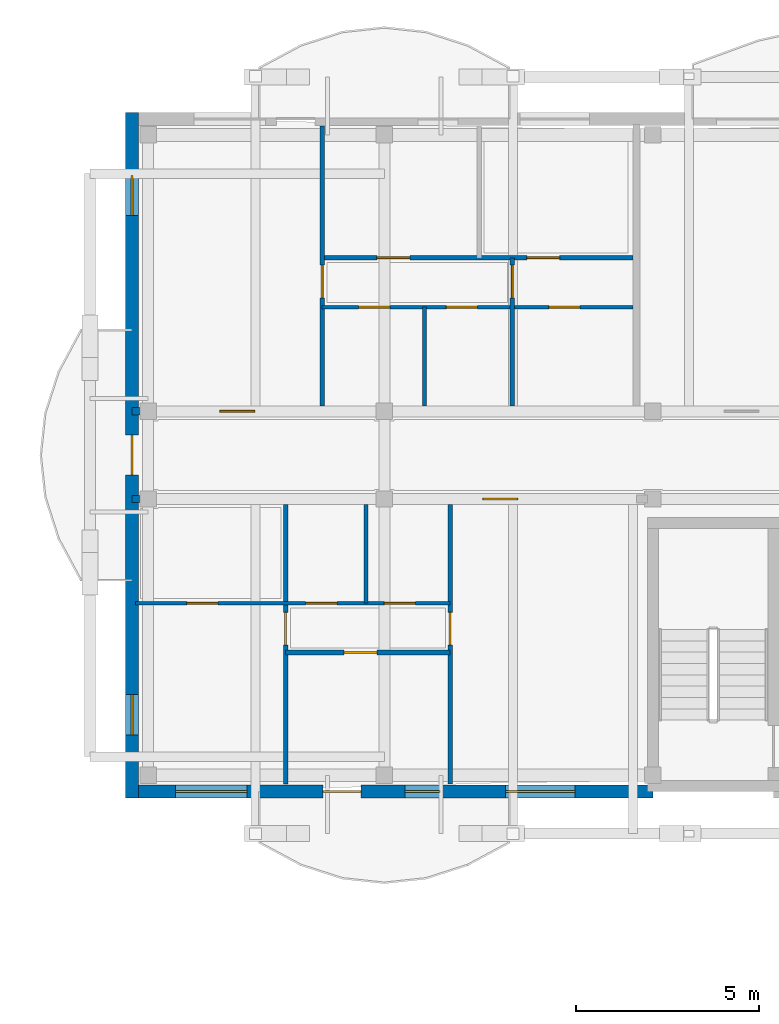
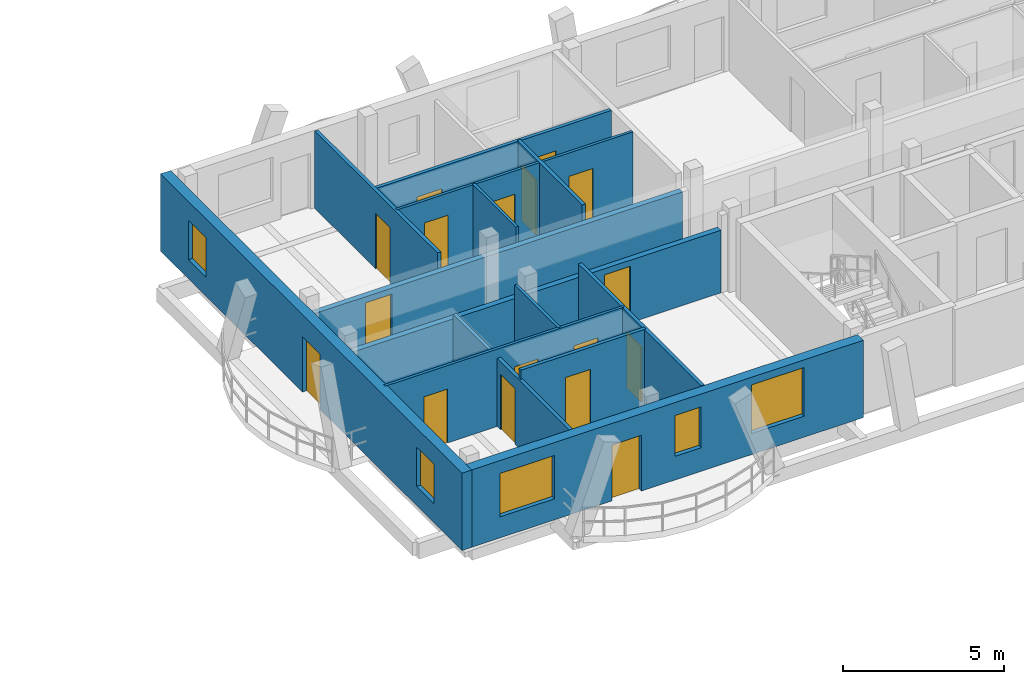
# One storey, part 29 of 52: 17 doors, 14 walls, 5 windows, 22 openings.
"""IFC4 building model written with IfcOpenShell, lengths in metres."""

from ifc_helpers import new_model, si_unit, direction, frame, frame_2d, origin, origin_with_axes, place, context, subcontext, project, spatial, rectangle, extrude, material, layer, layer_set, type_object, element, fill, save


model = new_model("IFC4")

# Units and contexts
model_context = context("Model", 3, precision=1e-05, world=origin(), true_north=direction((0.0, 1.0)))
body_context = subcontext(model_context, "Body", "Model", "MODEL_VIEW")
ifc_project = project(units=[si_unit("LENGTHUNIT", "METRE"), si_unit("AREAUNIT", "SQUARE_METRE"), si_unit("VOLUMEUNIT", "CUBIC_METRE"), si_unit("PLANEANGLEUNIT", "RADIAN"), si_unit("MASSUNIT", "GRAM", prefix="KILO")], contexts=[model_context])

# Site, building, storey
site_placement = place(None, origin())
site = spatial("IfcSite", under=ifc_project, at=site_placement, CompositionType="ELEMENT")
building_placement = place(site_placement, origin())
building = spatial("IfcBuilding", under=site, at=building_placement, Name="Zavelmont Quarter", CompositionType="ELEMENT")
storey_placement = place(building_placement, frame((0.0, 0.0, 14.39990234375)))
storey = spatial("IfcBuildingStorey", under=building, at=storey_placement, Name="L04", CompositionType="ELEMENT", Elevation=14.39990234375)

# Wall, openings, door, windows
ifc_material_1 = material(Name="Natural Belgian limestone", Category="masonry")
ifc_layer_1 = layer(ifc_material_1, 0.360107421875)
ifc_layer_set_1 = layer_set([ifc_layer_1], Name="Natural Belgian limestone")
wall_type_1 = type_object("IfcWallType", Name="EW02", PredefinedType="STANDARD", material=ifc_layer_set_1)
wall_1_placement = place(storey_placement, frame((112.969970703125, 97.60009765625, 0.0), z_axis=(0.0, 0.0, 1.0), x_axis=(1.0, 0.0, 0.0)))
wall_1 = element("IfcWall", 1, at=wall_1_placement, inside=storey, type_object=wall_type_1, Name="L04 exterior limestone wall EW02", PredefinedType="STANDARD", context=body_context, shape_type="SweptSolid", body=[
    extrude(rectangle(XDim=14.080078125, YDim=0.360107421875, at=frame_2d((7.0400390625, 0.0))), origin(), (0.0, 0.0, 1.0), 2.940185546875),
])
opening_1_placement = place(wall_1_placement, frame((5.050048828125, 0.0, 0.0)))
opening_1 = element("IfcOpeningElement", 2, at=opening_1_placement, cuts=wall_1, Name="Opening DR04A", PredefinedType="OPENING", context=body_context, shape_type="SweptSolid", body=[
    extrude(rectangle(XDim=1.050048828125, YDim=2.1201171875, at=frame_2d((0.52490234375, 1.06005859375))), frame((0.0, 0.19189453125, 0.0), z_axis=(0.0, -1.0, 0.0), x_axis=(1.0, 0.0, 0.0)), (0.0, 0.0, 1.0), 0.384033203125),
])
opening_2_placement = place(wall_1_placement, frame((1.02490234375, 0.0, 0.800048828125)))
opening_2 = element("IfcOpeningElement", 3, at=opening_2_placement, cuts=wall_1, Name="Opening WN24", PredefinedType="OPENING", context=body_context, shape_type="SweptSolid", body=[
    extrude(rectangle(XDim=1.949951171875, YDim=1.64990234375, at=frame_2d((0.97509765625, 0.824951171875))), frame((0.0, 0.19189453125, 0.0), z_axis=(0.0, -1.0, 0.0), x_axis=(1.0, 0.0, 0.0)), (0.0, 0.0, 1.0), 0.384033203125),
])
opening_3_placement = place(wall_1_placement, frame((7.300048828125, 0.0, 0.89990234375)))
opening_3 = element("IfcOpeningElement", 4, at=opening_3_placement, cuts=wall_1, Name="Opening WN04", PredefinedType="OPENING", context=body_context, shape_type="SweptSolid", body=[
    extrude(rectangle(XDim=0.949951171875, YDim=1.550048828125, at=frame_2d((0.47509765625, 0.77490234375))), frame((0.0, 0.19189453125, 0.0), z_axis=(0.0, -1.0, 0.0), x_axis=(1.0, 0.0, 0.0)), (0.0, 0.0, 1.0), 0.384033203125),
])
opening_4_placement = place(wall_1_placement, frame((10.050048828125, 0.0, 0.800048828125)))
opening_4 = element("IfcOpeningElement", 5, at=opening_4_placement, cuts=wall_1, Name="Opening WN20", PredefinedType="OPENING", context=body_context, shape_type="SweptSolid", body=[
    extrude(rectangle(XDim=1.89990234375, YDim=1.85009765625, at=frame_2d((0.949951171875, 0.925048828125))), frame((0.0, 0.19189453125, 0.0), z_axis=(0.0, -1.0, 0.0), x_axis=(1.0, 0.0, 0.0)), (0.0, 0.0, 1.0), 0.384033203125),
])
ifc_material_2 = material(Name="Thermally broken aluminium and double safety glass", Category="aluminium")
door_type_1 = type_object("IfcDoorType", Name="DR04A", OperationType="NOTDEFINED", PredefinedType="DOOR", material=ifc_material_2)
door_1_placement = place(opening_1_placement, origin_with_axes())
door_1 = element("IfcDoor", 6, at=door_1_placement, inside=storey, type_object=door_type_1, Name="Block C L04 glazed balcony door", OperationType="SINGLE_SWING_RIGHT", OverallHeight=2.1201171875, OverallWidth=1.050048828125, PredefinedType="DOOR", context=body_context, shape_type="SweptSolid", body=[
    extrude(rectangle(XDim=1.050048828125, YDim=2.1201171875, at=frame_2d((0.52490234375, 1.06005859375))), frame((0.0, 0.02490234375, 0.0), z_axis=(0.0, -1.0, 0.0), x_axis=(1.0, 0.0, 0.0)), (0.0, 0.0, 1.0), 0.050048828125),
])
fill(opening_1, door_1)
ifc_material_3 = material(Name="Double low-E insulated glazing in thermally broken aluminium frame", Category="aluminium")
window_type_1 = type_object("IfcWindowType", Name="WN04", PartitioningType="SINGLE_PANEL", PredefinedType="WINDOW", material=ifc_material_3)
window_1_placement = place(opening_3_placement, origin_with_axes())
window_1 = element("IfcWindow", 7, at=window_1_placement, inside=storey, type_object=window_type_1, Name="L04 window WN04", OverallHeight=1.550048828125, OverallWidth=0.949951171875, PartitioningType="SINGLE_PANEL", PredefinedType="WINDOW", context=body_context, shape_type="SweptSolid", body=[
    extrude(rectangle(XDim=0.949951171875, YDim=1.550048828125, at=frame_2d((0.47509765625, 0.77490234375))), frame((0.0, 0.030029296875, 0.0), z_axis=(0.0, -1.0, 0.0), x_axis=(1.0, 0.0, 0.0)), (0.0, 0.0, 1.0), 0.06005859375),
])
fill(opening_3, window_1)
window_type_2 = type_object("IfcWindowType", Name="WN20", PartitioningType="SINGLE_PANEL", PredefinedType="WINDOW", material=ifc_material_3)
window_2_placement = place(opening_4_placement, origin_with_axes())
window_2 = element("IfcWindow", 8, at=window_2_placement, inside=storey, type_object=window_type_2, Name="L04 window WN20", OverallHeight=1.85009765625, OverallWidth=1.89990234375, PartitioningType="SINGLE_PANEL", PredefinedType="WINDOW", context=body_context, shape_type="SweptSolid", body=[
    extrude(rectangle(XDim=1.89990234375, YDim=1.85009765625, at=frame_2d((0.949951171875, 0.925048828125))), frame((0.0, 0.030029296875, 0.0), z_axis=(0.0, -1.0, 0.0), x_axis=(1.0, 0.0, 0.0)), (0.0, 0.0, 1.0), 0.06005859375),
])
fill(opening_4, window_2)
window_type_3 = type_object("IfcWindowType", Name="WN24", PartitioningType="SINGLE_PANEL", PredefinedType="WINDOW", material=ifc_material_3)
window_3_placement = place(opening_2_placement, origin_with_axes())
window_3 = element("IfcWindow", 9, at=window_3_placement, inside=storey, type_object=window_type_3, Name="L04 window WN24", OverallHeight=1.64990234375, OverallWidth=1.949951171875, PartitioningType="SINGLE_PANEL", PredefinedType="WINDOW", context=body_context, shape_type="SweptSolid", body=[
    extrude(rectangle(XDim=1.949951171875, YDim=1.64990234375, at=frame_2d((0.97509765625, 0.824951171875))), frame((0.0, 0.030029296875, 0.0), z_axis=(0.0, -1.0, 0.0), x_axis=(1.0, 0.0, 0.0)), (0.0, 0.0, 1.0), 0.06005859375),
])
fill(opening_2, window_3)

wall_2_placement = place(storey_placement, frame((112.800048828125, 97.419921875, 0.0), z_axis=(0.0, 0.0, 1.0), x_axis=(0.0, 1.0, 0.0)))
wall_2 = element("IfcWall", 10, at=wall_2_placement, inside=storey, type_object=wall_type_1, Name="L04 exterior limestone wall EW02", PredefinedType="STANDARD", context=body_context, shape_type="SweptSolid", body=[
    extrude(rectangle(XDim=18.760009765625, YDim=0.360107421875, at=frame_2d((9.3798828125, 0.0))), origin(), (0.0, 0.0, 1.0), 2.940185546875),
])
opening_5_placement = place(wall_2_placement, frame((8.830078125, 0.0, 0.0)))
opening_5 = element("IfcOpeningElement", 11, at=opening_5_placement, cuts=wall_2, Name="Opening DR04B", PredefinedType="OPENING", context=body_context, shape_type="SweptSolid", body=[
    extrude(rectangle(XDim=1.10009765625, YDim=2.10009765625, at=frame_2d((0.550048828125, 1.050048828125))), frame((0.0, 0.19189453125, 0.0), z_axis=(0.0, -1.0, 0.0), x_axis=(1.0, 0.0, 0.0)), (0.0, 0.0, 1.0), 0.384033203125),
])
opening_6_placement = place(wall_2_placement, frame((1.72998046875, 0.0, 0.719970703125)))
opening_6 = element("IfcOpeningElement", 12, at=opening_6_placement, cuts=wall_2, Name="Opening WN09", PredefinedType="OPENING", context=body_context, shape_type="SweptSolid", body=[
    extrude(rectangle(XDim=1.10009765625, YDim=1.5, at=frame_2d((0.550048828125, 0.75))), frame((0.0, 0.19189453125, 0.0), z_axis=(0.0, -1.0, 0.0), x_axis=(1.0, 0.0, 0.0)), (0.0, 0.0, 1.0), 0.384033203125),
])
opening_7_placement = place(wall_2_placement, frame((15.929931640625, 0.0, 0.719970703125)))
opening_7 = element("IfcOpeningElement", 13, at=opening_7_placement, cuts=wall_2, Name="Opening WN09", PredefinedType="OPENING", context=body_context, shape_type="SweptSolid", body=[
    extrude(rectangle(XDim=1.10009765625, YDim=1.5, at=frame_2d((0.550048828125, 0.75))), frame((0.0, 0.19189453125, 0.0), z_axis=(0.0, -1.0, 0.0), x_axis=(1.0, 0.0, 0.0)), (0.0, 0.0, 1.0), 0.384033203125),
])
door_type_2 = type_object("IfcDoorType", Name="DR04B", OperationType="NOTDEFINED", PredefinedType="DOOR", material=ifc_material_2)
door_2_placement = place(opening_5_placement, frame((1.10009765625, 0.0, 0.0), z_axis=(0.0, 0.0, 1.0), x_axis=(-1.0, 0.0, 0.0)))
door_2 = element("IfcDoor", 14, at=door_2_placement, inside=storey, type_object=door_type_2, Name="Block C L04 terrace or vase balcony door", OperationType="SINGLE_SWING_LEFT", OverallHeight=2.10009765625, OverallWidth=1.10009765625, PredefinedType="DOOR", context=body_context, shape_type="SweptSolid", body=[
    extrude(rectangle(XDim=1.10009765625, YDim=2.10009765625, at=frame_2d((0.550048828125, 1.050048828125))), frame((0.0, 0.02490234375, 0.0), z_axis=(0.0, -1.0, 0.0), x_axis=(1.0, 0.0, 0.0)), (0.0, 0.0, 1.0), 0.050048828125),
])
fill(opening_5, door_2)
window_type_4 = type_object("IfcWindowType", Name="WN09", PartitioningType="SINGLE_PANEL", PredefinedType="WINDOW", material=ifc_material_3)
window_4_placement = place(opening_6_placement, origin_with_axes())
window_4 = element("IfcWindow", 15, at=window_4_placement, inside=storey, type_object=window_type_4, Name="L04 window WN09", OverallHeight=1.5, OverallWidth=1.10009765625, PartitioningType="SINGLE_PANEL", PredefinedType="WINDOW", context=body_context, shape_type="SweptSolid", body=[
    extrude(rectangle(XDim=1.10009765625, YDim=1.5, at=frame_2d((0.550048828125, 0.75))), frame((0.0, 0.030029296875, 0.0), z_axis=(0.0, -1.0, 0.0), x_axis=(1.0, 0.0, 0.0)), (0.0, 0.0, 1.0), 0.06005859375),
])
fill(opening_6, window_4)
window_5_placement = place(opening_7_placement, origin_with_axes())
window_5 = element("IfcWindow", 16, at=window_5_placement, inside=storey, type_object=window_type_4, Name="L04 window WN09", OverallHeight=1.5, OverallWidth=1.10009765625, PartitioningType="SINGLE_PANEL", PredefinedType="WINDOW", context=body_context, shape_type="SweptSolid", body=[
    extrude(rectangle(XDim=1.10009765625, YDim=1.5, at=frame_2d((0.550048828125, 0.75))), frame((0.0, 0.030029296875, 0.0), z_axis=(0.0, -1.0, 0.0), x_axis=(1.0, 0.0, 0.0)), (0.0, 0.0, 1.0), 0.06005859375),
])
fill(opening_7, window_5)

# Wall, opening, door
ifc_material_4 = material(Name="Calcium-silicate blockwork and acoustic plaster", Category="masonry")
ifc_layer_2 = layer(ifc_material_4, 0.199951171875)
ifc_layer_set_2 = layer_set([ifc_layer_2], Name="Calcium-silicate blockwork and acoustic plaster")
wall_type_2 = type_object("IfcWallType", Name="IW01", PredefinedType="PARTITIONING", material=ifc_layer_set_2)
wall_3_placement = place(storey_placement, frame((112.800048828125, 108.0, 0.0), z_axis=(0.0, 0.0, 1.0), x_axis=(1.0, 0.0, 0.0)))
wall_3 = element("IfcWall", 17, at=wall_3_placement, inside=storey, type_object=wall_type_2, Name="L04 Corridor compartment wall IW01", PredefinedType="PARTITIONING", context=body_context, shape_type="SweptSolid", body=[
    extrude(rectangle(XDim=13.800048828125, YDim=0.199951171875, at=frame_2d((6.89990234375, 0.0))), origin(), (0.0, 0.0, 1.0), 2.380126953125),
])
opening_8_placement = place(wall_3_placement, frame((2.39990234375, 0.0, 0.0)))
opening_8 = element("IfcOpeningElement", 18, at=opening_8_placement, cuts=wall_3, Name="Opening DR02", PredefinedType="OPENING", context=body_context, shape_type="SweptSolid", body=[
    extrude(rectangle(XDim=0.949951171875, YDim=2.14990234375, at=frame_2d((0.47509765625, 1.074951171875))), frame((0.0, 0.11181640625, 0.0), z_axis=(0.0, -1.0, 0.0), x_axis=(1.0, 0.0, 0.0)), (0.0, 0.0, 1.0), 0.223876953125),
])
ifc_material_5 = material(Name="Solid-core oak fire leaf in steel frame", Category="steel")
door_type_3 = type_object("IfcDoorType", Name="DR02", OperationType="NOTDEFINED", PredefinedType="DOOR", material=ifc_material_5)
door_3_placement = place(opening_8_placement, origin_with_axes())
door_3 = element("IfcDoor", 19, at=door_3_placement, inside=storey, type_object=door_type_3, Name="L04 door DR02", OperationType="SINGLE_SWING_RIGHT", OverallHeight=2.14990234375, OverallWidth=0.949951171875, PredefinedType="DOOR", context=body_context, shape_type="SweptSolid", body=[
    extrude(rectangle(XDim=0.949951171875, YDim=2.14990234375, at=frame_2d((0.47509765625, 1.074951171875))), frame((0.0, 0.02490234375, 0.0), z_axis=(0.0, -1.0, 0.0), x_axis=(1.0, 0.0, 0.0)), (0.0, 0.0, 1.0), 0.050048828125),
])
fill(opening_8, door_3)

wall_4_placement = place(storey_placement, frame((112.800048828125, 105.60009765625, 0.0), z_axis=(0.0, 0.0, 1.0), x_axis=(1.0, 0.0, 0.0)))
wall_4 = element("IfcWall", 20, at=wall_4_placement, inside=storey, type_object=wall_type_2, Name="L04 Corridor compartment wall IW01", PredefinedType="PARTITIONING", context=body_context, shape_type="SweptSolid", body=[
    extrude(rectangle(XDim=13.800048828125, YDim=0.199951171875, at=frame_2d((6.89990234375, 0.0))), origin(), (0.0, 0.0, 1.0), 2.380126953125),
])
opening_9_placement = place(wall_4_placement, frame((9.60009765625, 0.0, 0.0)))
opening_9 = element("IfcOpeningElement", 21, at=opening_9_placement, cuts=wall_4, Name="Opening DR02", PredefinedType="OPENING", context=body_context, shape_type="SweptSolid", body=[
    extrude(rectangle(XDim=0.949951171875, YDim=2.14990234375, at=frame_2d((0.47509765625, 1.074951171875))), frame((0.0, 0.11181640625, 0.0), z_axis=(0.0, -1.0, 0.0), x_axis=(1.0, 0.0, 0.0)), (0.0, 0.0, 1.0), 0.223876953125),
])
door_4_placement = place(opening_9_placement, frame((0.949951171875, 0.0, 0.0), z_axis=(0.0, 0.0, 1.0), x_axis=(-1.0, 0.0, 0.0)))
door_4 = element("IfcDoor", 22, at=door_4_placement, inside=storey, type_object=door_type_3, Name="L04 door DR02", OperationType="SINGLE_SWING_RIGHT", OverallHeight=2.14990234375, OverallWidth=0.949951171875, PredefinedType="DOOR", context=body_context, shape_type="SweptSolid", body=[
    extrude(rectangle(XDim=0.949951171875, YDim=2.14990234375, at=frame_2d((0.47509765625, 1.074951171875))), frame((0.0, 0.02490234375, 0.0), z_axis=(0.0, -1.0, 0.0), x_axis=(1.0, 0.0, 0.0)), (0.0, 0.0, 1.0), 0.050048828125),
])
fill(opening_9, door_4)

ifc_material_6 = material(Name="Double gypsum board on acoustic steel stud", Category="steel")
ifc_layer_3 = layer(ifc_material_6, 0.125)
ifc_layer_set_3 = layer_set([ifc_layer_3], Name="Double gypsum board on acoustic steel stud")
wall_type_3 = type_object("IfcWallType", Name="IW03", PredefinedType="PARTITIONING", material=ifc_layer_set_3)
wall_5_placement = place(storey_placement, frame((118.0, 108.14990234375, 0.0), z_axis=(0.0, 0.0, 1.0), x_axis=(0.0, 1.0, 0.0)))
wall_5 = element("IfcWall", 23, at=wall_5_placement, inside=storey, type_object=wall_type_3, Name="L04 Partition IW03", PredefinedType="PARTITIONING", context=body_context, shape_type="SweptSolid", body=[
    extrude(rectangle(XDim=7.650146484375, YDim=0.125, at=frame_2d((3.8251953125, 0.0))), origin(), (0.0, 0.0, 1.0), 2.940185546875),
])
opening_10_placement = place(wall_5_placement, frame((2.949951171875, 0.0, 0.0)))
opening_10 = element("IfcOpeningElement", 24, at=opening_10_placement, cuts=wall_5, Name="Opening DR05", PredefinedType="OPENING", context=body_context, shape_type="SweptSolid", body=[
    extrude(rectangle(XDim=0.89990234375, YDim=2.10009765625, at=frame_2d((0.449951171875, 1.050048828125))), frame((0.0, 0.074462890625, 0.0), z_axis=(0.0, -1.0, 0.0), x_axis=(1.0, 0.0, 0.0)), (0.0, 0.0, 1.0), 0.14892578125),
])
ifc_material_7 = material(Name="Engineered oak flush interior door")
door_type_4 = type_object("IfcDoorType", Name="DR05", OperationType="NOTDEFINED", PredefinedType="DOOR", material=ifc_material_7)
door_5_placement = place(opening_10_placement, frame((0.89990234375, 0.0, 0.0), z_axis=(0.0, 0.0, 1.0), x_axis=(-1.0, 0.0, 0.0)))
door_5 = element("IfcDoor", 25, at=door_5_placement, inside=storey, type_object=door_type_4, Name="L04 door DR05", OperationType="SINGLE_SWING_RIGHT", OverallHeight=2.10009765625, OverallWidth=0.89990234375, PredefinedType="DOOR", context=body_context, shape_type="SweptSolid", body=[
    extrude(rectangle(XDim=0.89990234375, YDim=2.10009765625, at=frame_2d((0.449951171875, 1.050048828125))), frame((0.0, 0.02490234375, 0.0), z_axis=(0.0, -1.0, 0.0), x_axis=(1.0, 0.0, 0.0)), (0.0, 0.0, 1.0), 0.050048828125),
])
fill(opening_10, door_5)

wall_6_placement = place(storey_placement, frame((123.199951171875, 108.14990234375, 0.0), z_axis=(0.0, 0.0, 1.0), x_axis=(0.0, 1.0, 0.0)))
wall_6 = element("IfcWall", 26, at=wall_6_placement, inside=storey, type_object=wall_type_3, Name="L04 Partition IW03", PredefinedType="PARTITIONING", context=body_context, shape_type="SweptSolid", body=[
    extrude(rectangle(XDim=4.050048828125, YDim=0.125, at=frame_2d((2.02490234375, 0.0))), origin(), (0.0, 0.0, 1.0), 2.940185546875),
])
opening_11_placement = place(wall_6_placement, frame((2.949951171875, 0.0, 0.0)))
opening_11 = element("IfcOpeningElement", 27, at=opening_11_placement, cuts=wall_6, Name="Opening DR05", PredefinedType="OPENING", context=body_context, shape_type="SweptSolid", body=[
    extrude(rectangle(XDim=0.89990234375, YDim=2.10009765625, at=frame_2d((0.449951171875, 1.050048828125))), frame((0.0, 0.074462890625, 0.0), z_axis=(0.0, -1.0, 0.0), x_axis=(1.0, 0.0, 0.0)), (0.0, 0.0, 1.0), 0.14892578125),
])
door_6_placement = place(opening_11_placement, origin_with_axes())
door_6 = element("IfcDoor", 28, at=door_6_placement, inside=storey, type_object=door_type_4, Name="L04 door DR05", OperationType="SINGLE_SWING_LEFT", OverallHeight=2.10009765625, OverallWidth=0.89990234375, PredefinedType="DOOR", context=body_context, shape_type="SweptSolid", body=[
    extrude(rectangle(XDim=0.89990234375, YDim=2.10009765625, at=frame_2d((0.449951171875, 1.050048828125))), frame((0.0, 0.02490234375, 0.0), z_axis=(0.0, -1.0, 0.0), x_axis=(1.0, 0.0, 0.0)), (0.0, 0.0, 1.0), 0.050048828125),
])
fill(opening_11, door_6)

# Wall, openings, doors
wall_7_placement = place(storey_placement, frame((118.0, 112.199951171875, 0.0), z_axis=(0.0, 0.0, 1.0), x_axis=(1.0, 0.0, 0.0)))
wall_7 = element("IfcWall", 29, at=wall_7_placement, inside=storey, type_object=wall_type_3, Name="L04 Partition IW03", PredefinedType="PARTITIONING", context=body_context, shape_type="SweptSolid", body=[
    extrude(rectangle(XDim=8.5, YDim=0.125, at=frame_2d((4.25, 0.0))), origin(), (0.0, 0.0, 1.0), 2.940185546875),
])
opening_12_placement = place(wall_7_placement, frame((1.5, 0.0, 0.0)))
opening_12 = element("IfcOpeningElement", 30, at=opening_12_placement, cuts=wall_7, Name="Opening DR05", PredefinedType="OPENING", context=body_context, shape_type="SweptSolid", body=[
    extrude(rectangle(XDim=0.89990234375, YDim=2.10009765625, at=frame_2d((0.449951171875, 1.050048828125))), frame((0.0, 0.074462890625, 0.0), z_axis=(0.0, -1.0, 0.0), x_axis=(1.0, 0.0, 0.0)), (0.0, 0.0, 1.0), 0.14892578125),
])
opening_13_placement = place(wall_7_placement, frame((5.60009765625, 0.0, 0.0)))
opening_13 = element("IfcOpeningElement", 31, at=opening_13_placement, cuts=wall_7, Name="Opening DR05", PredefinedType="OPENING", context=body_context, shape_type="SweptSolid", body=[
    extrude(rectangle(XDim=0.89990234375, YDim=2.10009765625, at=frame_2d((0.449951171875, 1.050048828125))), frame((0.0, 0.074462890625, 0.0), z_axis=(0.0, -1.0, 0.0), x_axis=(1.0, 0.0, 0.0)), (0.0, 0.0, 1.0), 0.14892578125),
])
door_7_placement = place(opening_12_placement, origin_with_axes())
door_7 = element("IfcDoor", 32, at=door_7_placement, inside=storey, type_object=door_type_4, Name="L04 door DR05", OperationType="SINGLE_SWING_LEFT", OverallHeight=2.10009765625, OverallWidth=0.89990234375, PredefinedType="DOOR", context=body_context, shape_type="SweptSolid", body=[
    extrude(rectangle(XDim=0.89990234375, YDim=2.10009765625, at=frame_2d((0.449951171875, 1.050048828125))), frame((0.0, 0.02490234375, 0.0), z_axis=(0.0, -1.0, 0.0), x_axis=(1.0, 0.0, 0.0)), (0.0, 0.0, 1.0), 0.050048828125),
])
fill(opening_12, door_7)
door_8_placement = place(opening_13_placement, frame((0.89990234375, 0.0, 0.0), z_axis=(0.0, 0.0, 1.0), x_axis=(-1.0, 0.0, 0.0)))
door_8 = element("IfcDoor", 33, at=door_8_placement, inside=storey, type_object=door_type_4, Name="L04 door DR05", OperationType="SINGLE_SWING_RIGHT", OverallHeight=2.10009765625, OverallWidth=0.89990234375, PredefinedType="DOOR", context=body_context, shape_type="SweptSolid", body=[
    extrude(rectangle(XDim=0.89990234375, YDim=2.10009765625, at=frame_2d((0.449951171875, 1.050048828125))), frame((0.0, 0.02490234375, 0.0), z_axis=(0.0, -1.0, 0.0), x_axis=(1.0, 0.0, 0.0)), (0.0, 0.0, 1.0), 0.050048828125),
])
fill(opening_13, door_8)

# Wall, opening, door
wall_8_placement = place(storey_placement, frame((121.5, 105.449951171875, 0.0), z_axis=(0.0, 0.0, 1.0), x_axis=(0.0, -1.0, 0.0)))
wall_8 = element("IfcWall", 34, at=wall_8_placement, inside=storey, type_object=wall_type_3, Name="L04 Partition IW03", PredefinedType="PARTITIONING", context=body_context, shape_type="SweptSolid", body=[
    extrude(rectangle(XDim=7.64990234375, YDim=0.125, at=frame_2d((3.824951171875, 0.0))), origin(), (0.0, 0.0, 1.0), 2.940185546875),
])
opening_14_placement = place(wall_8_placement, frame((2.949951171875, 0.0, 0.0)))
opening_14 = element("IfcOpeningElement", 35, at=opening_14_placement, cuts=wall_8, Name="Opening DR05", PredefinedType="OPENING", context=body_context, shape_type="SweptSolid", body=[
    extrude(rectangle(XDim=0.89990234375, YDim=2.10009765625, at=frame_2d((0.449951171875, 1.050048828125))), frame((0.0, 0.074462890625, 0.0), z_axis=(0.0, -1.0, 0.0), x_axis=(1.0, 0.0, 0.0)), (0.0, 0.0, 1.0), 0.14892578125),
])
door_9_placement = place(opening_14_placement, frame((0.89990234375, 0.0, 0.0), z_axis=(0.0, 0.0, 1.0), x_axis=(-1.0, 0.0, 0.0)))
door_9 = element("IfcDoor", 36, at=door_9_placement, inside=storey, type_object=door_type_4, Name="L04 door DR05", OperationType="SINGLE_SWING_RIGHT", OverallHeight=2.10009765625, OverallWidth=0.89990234375, PredefinedType="DOOR", context=body_context, shape_type="SweptSolid", body=[
    extrude(rectangle(XDim=0.89990234375, YDim=2.10009765625, at=frame_2d((0.449951171875, 1.050048828125))), frame((0.0, 0.02490234375, 0.0), z_axis=(0.0, -1.0, 0.0), x_axis=(1.0, 0.0, 0.0)), (0.0, 0.0, 1.0), 0.050048828125),
])
fill(opening_14, door_9)

wall_9_placement = place(storey_placement, frame((117.0, 105.449951171875, 0.0), z_axis=(0.0, 0.0, 1.0), x_axis=(0.0, -1.0, 0.0)))
wall_9 = element("IfcWall", 37, at=wall_9_placement, inside=storey, type_object=wall_type_3, Name="L04 Partition IW03", PredefinedType="PARTITIONING", context=body_context, shape_type="SweptSolid", body=[
    extrude(rectangle(XDim=7.64990234375, YDim=0.125, at=frame_2d((3.824951171875, 0.0))), origin(), (0.0, 0.0, 1.0), 2.590087890625),
])
opening_15_placement = place(wall_9_placement, frame((2.949951171875, 0.0, 0.0)))
opening_15 = element("IfcOpeningElement", 38, at=opening_15_placement, cuts=wall_9, Name="Opening DR05", PredefinedType="OPENING", context=body_context, shape_type="SweptSolid", body=[
    extrude(rectangle(XDim=0.89990234375, YDim=2.10009765625, at=frame_2d((0.449951171875, 1.050048828125))), frame((0.0, 0.074462890625, 0.0), z_axis=(0.0, -1.0, 0.0), x_axis=(1.0, 0.0, 0.0)), (0.0, 0.0, 1.0), 0.14892578125),
])
door_10_placement = place(opening_15_placement, origin_with_axes())
door_10 = element("IfcDoor", 39, at=door_10_placement, inside=storey, type_object=door_type_4, Name="L04 door DR05", OperationType="SINGLE_SWING_LEFT", OverallHeight=2.10009765625, OverallWidth=0.89990234375, PredefinedType="DOOR", context=body_context, shape_type="SweptSolid", body=[
    extrude(rectangle(XDim=0.89990234375, YDim=2.10009765625, at=frame_2d((0.449951171875, 1.050048828125))), frame((0.0, 0.02490234375, 0.0), z_axis=(0.0, -1.0, 0.0), x_axis=(1.0, 0.0, 0.0)), (0.0, 0.0, 1.0), 0.050048828125),
])
fill(opening_15, door_10)

wall_10_placement = place(storey_placement, frame((117.0, 101.39990234375, 0.0), z_axis=(0.0, 0.0, 1.0), x_axis=(1.0, 0.0, 0.0)))
wall_10 = element("IfcWall", 40, at=wall_10_placement, inside=storey, type_object=wall_type_3, Name="L04 Partition IW03", PredefinedType="PARTITIONING", context=body_context, shape_type="SweptSolid", body=[
    extrude(rectangle(XDim=4.5, YDim=0.125, at=frame_2d((2.25, 0.0))), origin(), (0.0, 0.0, 1.0), 2.940185546875),
])
opening_16_placement = place(wall_10_placement, frame((1.60009765625, 0.0, 0.0)))
opening_16 = element("IfcOpeningElement", 41, at=opening_16_placement, cuts=wall_10, Name="Opening DR05", PredefinedType="OPENING", context=body_context, shape_type="SweptSolid", body=[
    extrude(rectangle(XDim=0.89990234375, YDim=2.10009765625, at=frame_2d((0.449951171875, 1.050048828125))), frame((0.0, 0.074462890625, 0.0), z_axis=(0.0, -1.0, 0.0), x_axis=(1.0, 0.0, 0.0)), (0.0, 0.0, 1.0), 0.14892578125),
])
door_11_placement = place(opening_16_placement, origin_with_axes())
door_11 = element("IfcDoor", 42, at=door_11_placement, inside=storey, type_object=door_type_4, Name="L04 door DR05", OperationType="SINGLE_SWING_LEFT", OverallHeight=2.10009765625, OverallWidth=0.89990234375, PredefinedType="DOOR", context=body_context, shape_type="SweptSolid", body=[
    extrude(rectangle(XDim=0.89990234375, YDim=2.10009765625, at=frame_2d((0.449951171875, 1.050048828125))), frame((0.0, 0.02490234375, 0.0), z_axis=(0.0, -1.0, 0.0), x_axis=(1.0, 0.0, 0.0)), (0.0, 0.0, 1.0), 0.050048828125),
])
fill(opening_16, door_11)

# Wall
ifc_material_8 = material(Name="Moisture-resistant gypsum board on steel stud", Category="steel")
ifc_layer_4 = layer(ifc_material_8, 0.10009765625)
ifc_layer_set_4 = layer_set([ifc_layer_4], Name="Moisture-resistant gypsum board on steel stud")
wall_type_4 = type_object("IfcWallType", Name="IW04", PredefinedType="PARTITIONING", material=ifc_layer_set_4)
wall_11_placement = place(storey_placement, frame((120.800048828125, 108.14990234375, 0.0), z_axis=(0.0, 0.0, 1.0), x_axis=(0.0, 1.0, 0.0)))
element("IfcWall", 43, at=wall_11_placement, inside=storey, type_object=wall_type_4, Name="L04 Partition IW04", PredefinedType="PARTITIONING", context=body_context, shape_type="SweptSolid", body=[
    extrude(rectangle(XDim=2.7001953125, YDim=0.10009765625, at=frame_2d((1.35009765625, 0.0))), origin(), (0.0, 0.0, 1.0), 2.940185546875),
])

# Wall, openings, doors
wall_12_placement = place(storey_placement, frame((118.0, 110.85009765625, 0.0), z_axis=(0.0, 0.0, 1.0), x_axis=(1.0, 0.0, 0.0)))
wall_12 = element("IfcWall", 44, at=wall_12_placement, inside=storey, type_object=wall_type_4, Name="L04 Partition IW04", PredefinedType="PARTITIONING", context=body_context, shape_type="SweptSolid", body=[
    extrude(rectangle(XDim=8.5, YDim=0.10009765625, at=frame_2d((4.25, 0.0))), origin(), (0.0, 0.0, 1.0), 2.940185546875),
])
opening_17_placement = place(wall_12_placement, frame((1.0, 0.0, 0.0)))
opening_17 = element("IfcOpeningElement", 45, at=opening_17_placement, cuts=wall_12, Name="Opening DR16", PredefinedType="OPENING", context=body_context, shape_type="SweptSolid", body=[
    extrude(rectangle(XDim=0.85009765625, YDim=2.10009765625, at=frame_2d((0.425048828125, 1.050048828125))), frame((0.0, 0.06201171875, 0.0), z_axis=(0.0, -1.0, 0.0), x_axis=(1.0, 0.0, 0.0)), (0.0, 0.0, 1.0), 0.1240234375),
])
opening_18_placement = place(wall_12_placement, frame((3.39990234375, 0.0, 0.0)))
opening_18 = element("IfcOpeningElement", 46, at=opening_18_placement, cuts=wall_12, Name="Opening DR06", PredefinedType="OPENING", context=body_context, shape_type="SweptSolid", body=[
    extrude(rectangle(XDim=0.85009765625, YDim=2.050048828125, at=frame_2d((0.425048828125, 1.02490234375))), frame((0.0, 0.06201171875, 0.0), z_axis=(0.0, -1.0, 0.0), x_axis=(1.0, 0.0, 0.0)), (0.0, 0.0, 1.0), 0.1240234375),
])
opening_19_placement = place(wall_12_placement, frame((6.199951171875, 0.0, 0.0)))
opening_19 = element("IfcOpeningElement", 47, at=opening_19_placement, cuts=wall_12, Name="Opening DR06", PredefinedType="OPENING", context=body_context, shape_type="SweptSolid", body=[
    extrude(rectangle(XDim=0.85009765625, YDim=2.050048828125, at=frame_2d((0.425048828125, 1.02490234375))), frame((0.0, 0.06201171875, 0.0), z_axis=(0.0, -1.0, 0.0), x_axis=(1.0, 0.0, 0.0)), (0.0, 0.0, 1.0), 0.1240234375),
])
ifc_material_9 = material(Name="Moisture-resistant painted wet-room door")
door_type_5 = type_object("IfcDoorType", Name="DR06", OperationType="NOTDEFINED", PredefinedType="DOOR", material=ifc_material_9)
door_12_placement = place(opening_18_placement, origin_with_axes())
door_12 = element("IfcDoor", 48, at=door_12_placement, inside=storey, type_object=door_type_5, Name="L04 door DR06", OperationType="SINGLE_SWING_LEFT", OverallHeight=2.050048828125, OverallWidth=0.85009765625, PredefinedType="DOOR", context=body_context, shape_type="SweptSolid", body=[
    extrude(rectangle(XDim=0.85009765625, YDim=2.050048828125, at=frame_2d((0.425048828125, 1.02490234375))), frame((0.0, 0.02490234375, 0.0), z_axis=(0.0, -1.0, 0.0), x_axis=(1.0, 0.0, 0.0)), (0.0, 0.0, 1.0), 0.050048828125),
])
fill(opening_18, door_12)
door_13_placement = place(opening_19_placement, frame((0.85009765625, 0.0, 0.0), z_axis=(0.0, 0.0, 1.0), x_axis=(-1.0, 0.0, 0.0)))
door_13 = element("IfcDoor", 49, at=door_13_placement, inside=storey, type_object=door_type_5, Name="L04 door DR06", OperationType="SINGLE_SWING_RIGHT", OverallHeight=2.050048828125, OverallWidth=0.85009765625, PredefinedType="DOOR", context=body_context, shape_type="SweptSolid", body=[
    extrude(rectangle(XDim=0.85009765625, YDim=2.050048828125, at=frame_2d((0.425048828125, 1.02490234375))), frame((0.0, 0.02490234375, 0.0), z_axis=(0.0, -1.0, 0.0), x_axis=(1.0, 0.0, 0.0)), (0.0, 0.0, 1.0), 0.050048828125),
])
fill(opening_19, door_13)
door_type_6 = type_object("IfcDoorType", Name="DR16", OperationType="NOTDEFINED", PredefinedType="DOOR", material=ifc_material_7)
door_14_placement = place(opening_17_placement, frame((0.85009765625, 0.0, 0.0), z_axis=(0.0, 0.0, 1.0), x_axis=(-1.0, 0.0, 0.0)))
door_14 = element("IfcDoor", 50, at=door_14_placement, inside=storey, type_object=door_type_6, Name="L04 door DR16", OperationType="SINGLE_SWING_RIGHT", OverallHeight=2.10009765625, OverallWidth=0.85009765625, PredefinedType="DOOR", context=body_context, shape_type="SweptSolid", body=[
    extrude(rectangle(XDim=0.85009765625, YDim=2.10009765625, at=frame_2d((0.425048828125, 1.050048828125))), frame((0.0, 0.02490234375, 0.0), z_axis=(0.0, -1.0, 0.0), x_axis=(1.0, 0.0, 0.0)), (0.0, 0.0, 1.0), 0.050048828125),
])
fill(opening_17, door_14)

# Wall
wall_13_placement = place(storey_placement, frame((119.199951171875, 105.449951171875, 0.0), z_axis=(0.0, 0.0, 1.0), x_axis=(0.0, -1.0, 0.0)))
element("IfcWall", 51, at=wall_13_placement, inside=storey, type_object=wall_type_4, Name="L04 Partition IW04", PredefinedType="PARTITIONING", context=body_context, shape_type="SweptSolid", body=[
    extrude(rectangle(XDim=2.699951171875, YDim=0.10009765625, at=frame_2d((1.35009765625, 0.0))), origin(), (0.0, 0.0, 1.0), 2.940185546875),
])

# Wall, openings, doors
wall_14_placement = place(storey_placement, frame((112.89990234375, 102.75, 0.0), z_axis=(0.0, 0.0, 1.0), x_axis=(1.0, 0.0, 0.0)))
wall_14 = element("IfcWall", 52, at=wall_14_placement, inside=storey, type_object=wall_type_4, Name="L04 Partition IW04", PredefinedType="PARTITIONING", context=body_context, shape_type="SweptSolid", body=[
    extrude(rectangle(XDim=8.60009765625, YDim=0.10009765625, at=frame_2d((4.300048828125, 0.0))), origin(), (0.0, 0.0, 1.0), 2.940185546875),
])
opening_20_placement = place(wall_14_placement, frame((1.39990234375, 0.0, 0.0)))
opening_20 = element("IfcOpeningElement", 53, at=opening_20_placement, cuts=wall_14, Name="Opening DR06", PredefinedType="OPENING", context=body_context, shape_type="SweptSolid", body=[
    extrude(rectangle(XDim=0.85009765625, YDim=2.050048828125, at=frame_2d((0.425048828125, 1.02490234375))), frame((0.0, 0.06201171875, 0.0), z_axis=(0.0, -1.0, 0.0), x_axis=(1.0, 0.0, 0.0)), (0.0, 0.0, 1.0), 0.1240234375),
])
opening_21_placement = place(wall_14_placement, frame((4.64990234375, 0.0, 0.0)))
opening_21 = element("IfcOpeningElement", 54, at=opening_21_placement, cuts=wall_14, Name="Opening DR06", PredefinedType="OPENING", context=body_context, shape_type="SweptSolid", body=[
    extrude(rectangle(XDim=0.85009765625, YDim=2.050048828125, at=frame_2d((0.425048828125, 1.02490234375))), frame((0.0, 0.06201171875, 0.0), z_axis=(0.0, -1.0, 0.0), x_axis=(1.0, 0.0, 0.0)), (0.0, 0.0, 1.0), 0.1240234375),
])
opening_22_placement = place(wall_14_placement, frame((6.800048828125, 0.0, 0.0)))
opening_22 = element("IfcOpeningElement", 55, at=opening_22_placement, cuts=wall_14, Name="Opening DR16", PredefinedType="OPENING", context=body_context, shape_type="SweptSolid", body=[
    extrude(rectangle(XDim=0.85009765625, YDim=2.10009765625, at=frame_2d((0.425048828125, 1.050048828125))), frame((0.0, 0.06201171875, 0.0), z_axis=(0.0, -1.0, 0.0), x_axis=(1.0, 0.0, 0.0)), (0.0, 0.0, 1.0), 0.1240234375),
])
door_15_placement = place(opening_20_placement, frame((0.85009765625, 0.0, 0.0), z_axis=(0.0, 0.0, 1.0), x_axis=(-1.0, 0.0, 0.0)))
door_15 = element("IfcDoor", 56, at=door_15_placement, inside=storey, type_object=door_type_5, Name="L04 door DR06", OperationType="SINGLE_SWING_RIGHT", OverallHeight=2.050048828125, OverallWidth=0.85009765625, PredefinedType="DOOR", context=body_context, shape_type="SweptSolid", body=[
    extrude(rectangle(XDim=0.85009765625, YDim=2.050048828125, at=frame_2d((0.425048828125, 1.02490234375))), frame((0.0, 0.02490234375, 0.0), z_axis=(0.0, -1.0, 0.0), x_axis=(1.0, 0.0, 0.0)), (0.0, 0.0, 1.0), 0.050048828125),
])
fill(opening_20, door_15)
door_16_placement = place(opening_21_placement, origin_with_axes())
door_16 = element("IfcDoor", 57, at=door_16_placement, inside=storey, type_object=door_type_5, Name="L04 door DR06", OperationType="SINGLE_SWING_LEFT", OverallHeight=2.050048828125, OverallWidth=0.85009765625, PredefinedType="DOOR", context=body_context, shape_type="SweptSolid", body=[
    extrude(rectangle(XDim=0.85009765625, YDim=2.050048828125, at=frame_2d((0.425048828125, 1.02490234375))), frame((0.0, 0.02490234375, 0.0), z_axis=(0.0, -1.0, 0.0), x_axis=(1.0, 0.0, 0.0)), (0.0, 0.0, 1.0), 0.050048828125),
])
fill(opening_21, door_16)
door_17_placement = place(opening_22_placement, frame((0.85009765625, 0.0, 0.0), z_axis=(0.0, 0.0, 1.0), x_axis=(-1.0, 0.0, 0.0)))
door_17 = element("IfcDoor", 58, at=door_17_placement, inside=storey, type_object=door_type_6, Name="L04 door DR16", OperationType="SINGLE_SWING_RIGHT", OverallHeight=2.10009765625, OverallWidth=0.85009765625, PredefinedType="DOOR", context=body_context, shape_type="SweptSolid", body=[
    extrude(rectangle(XDim=0.85009765625, YDim=2.10009765625, at=frame_2d((0.425048828125, 1.050048828125))), frame((0.0, 0.02490234375, 0.0), z_axis=(0.0, -1.0, 0.0), x_axis=(1.0, 0.0, 0.0)), (0.0, 0.0, 1.0), 0.050048828125),
])
fill(opening_22, door_17)

save(model, "model.ifc")
